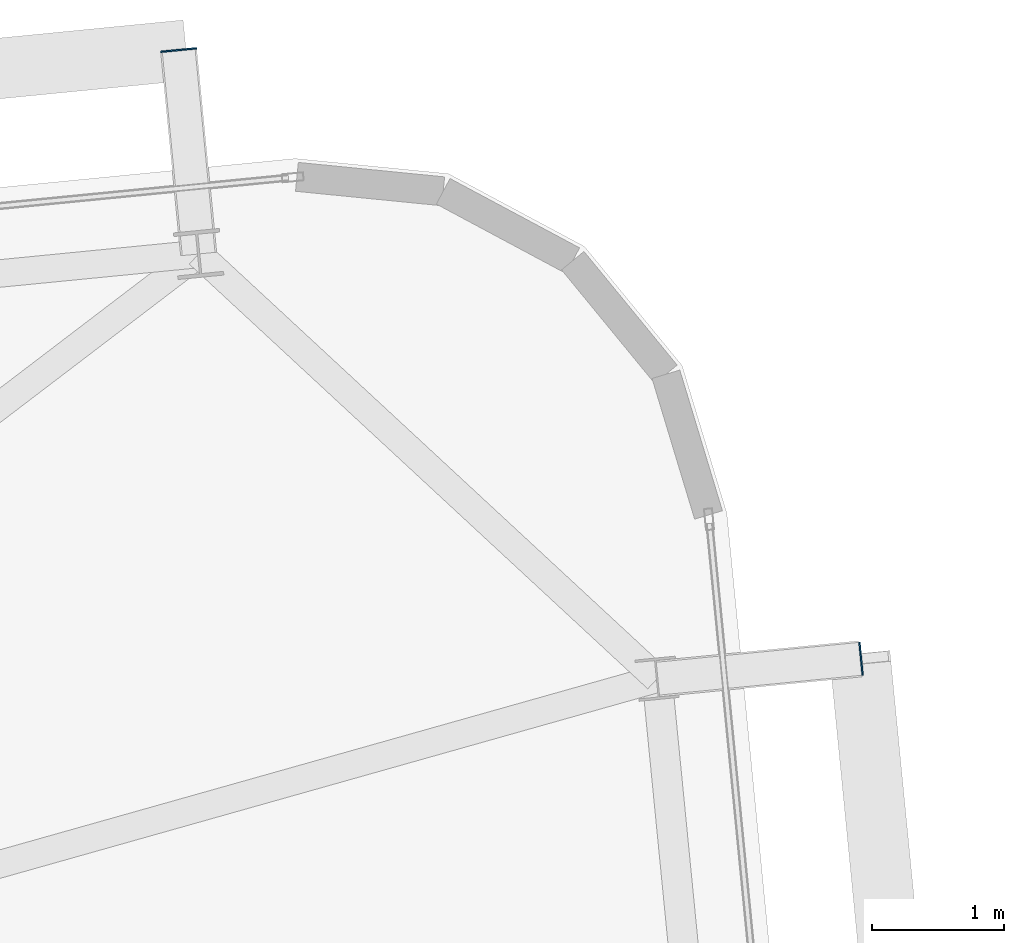
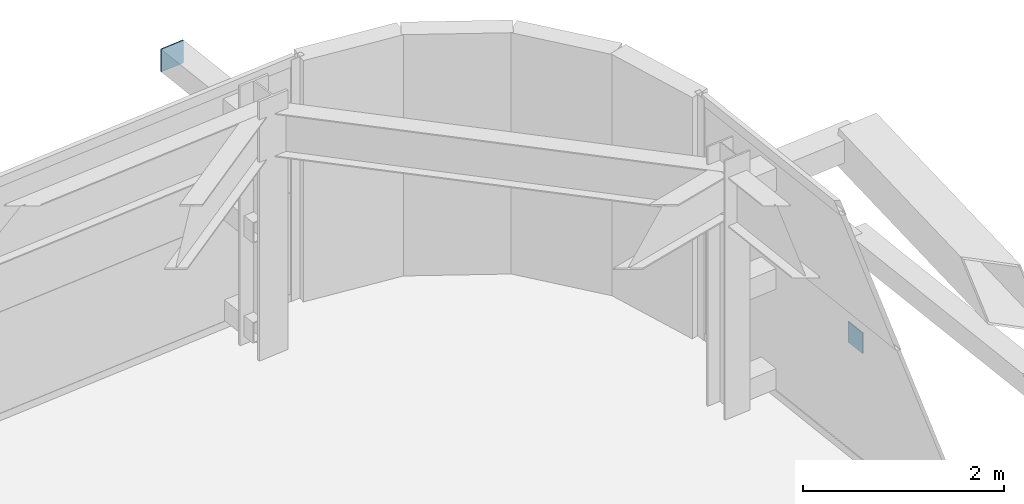
# One storey, part 40 of 47: 2 plates.
"""IFC4 building model written with IfcOpenShell, lengths in metres."""

from ifc_helpers import new_model, si_unit, direction, frame, origin, origin_2d, place, context, subcontext, project, spatial, rectangle, extrude, source, transform, mapped, material, layer, layer_set, type_object, element, save


model = new_model("IFC4")

# Units and contexts
model_context = context("Model", 3, precision=1e-05, world=origin(), true_north=direction((0.0, 1.0)))
body_context = subcontext(model_context, "Body", "Model", "MODEL_VIEW")
ifc_project = project(units=[si_unit("LENGTHUNIT", "METRE"), si_unit("AREAUNIT", "SQUARE_METRE"), si_unit("VOLUMEUNIT", "CUBIC_METRE"), si_unit("PLANEANGLEUNIT", "RADIAN"), si_unit("MASSUNIT", "GRAM", prefix="KILO")], contexts=[model_context])

# Site, building, storey
site_placement = place(None, origin())
site = spatial("IfcSite", under=ifc_project, at=site_placement, CompositionType="ELEMENT")
building_placement = place(site_placement, origin())
building = spatial("IfcBuilding", under=site, at=building_placement, Name="Taldren Reach Tower", CompositionType="ELEMENT")
storey_placement = place(building_placement, frame((0.0, 0.0, 90.300048828125)))
storey = spatial("IfcBuildingStorey", under=building, at=storey_placement, Name="L27", CompositionType="ELEMENT", Elevation=90.300048828125)

# Plates
ifc_material_1 = material(Name="Steel Gr 450 (C450L0)", Category="steel")
ifc_layer_1 = layer(ifc_material_1, 0.011962890625)
ifc_layer_set_1 = layer_set([ifc_layer_1], Name="Steel Gr 450 (C450L0)")
plate_type_1 = type_object("IfcPlateType", Name="PL-CAP-275", PredefinedType="SHEET", material=ifc_layer_set_1)
shared_shape_1 = source(origin(), body_context, "Body", "SweptSolid", [
    extrude(rectangle(XDim=0.27490234375, YDim=0.011962890625, at=origin_2d()), origin(), (0.0, 0.0, 1.0), 0.27490234375),
])
plate_1_placement = place(storey_placement, frame((59.614013671875, 40.228515625, 2.512451171875), z_axis=(0.0, 0.0, 1.0), x_axis=(0.995227399982, 0.097582899759, 0.0)))
element("IfcPlate", 1, at=plate_1_placement, inside=storey, type_object=plate_type_1, Name="Tie strut end cap plate B2-N6 L27", PredefinedType="SHEET", context=body_context, shape_type="MappedRepresentation", body=[
    mapped(shared_shape_1, transform((0.0, 0.0, 0.0), scale=1.0)),
])
ifc_material_2 = material(Name="Steel Gr 350 (C350L0)", Category="steel")
ifc_layer_2 = layer(ifc_material_2, 0.011962890625)
ifc_layer_set_2 = layer_set([ifc_layer_2], Name="Steel Gr 350 (C350L0)")
plate_type_2 = type_object("IfcPlateType", Name="PL-CAP-250", PredefinedType="SHEET", material=ifc_layer_set_2)
shared_shape_2 = source(origin(), body_context, "Body", "SweptSolid", [
    extrude(rectangle(XDim=0.011962890625, YDim=0.25, at=origin_2d()), origin(), (0.0, 0.0, 1.0), 0.25),
])
plate_2_placement = place(storey_placement, frame((64.7958984375, 35.60595703125, 0.094970703125), z_axis=(0.0, 0.0, 1.0), x_axis=(0.995227399982, 0.097582899759, 0.0)))
element("IfcPlate", 2, at=plate_2_placement, inside=storey, type_object=plate_type_2, Name="Tie strut end cap plate B2-E3 L27", PredefinedType="SHEET", context=body_context, shape_type="MappedRepresentation", body=[
    mapped(shared_shape_2, transform((0.0, 0.0, 0.0), scale=1.0)),
])

save(model, "model.ifc")
